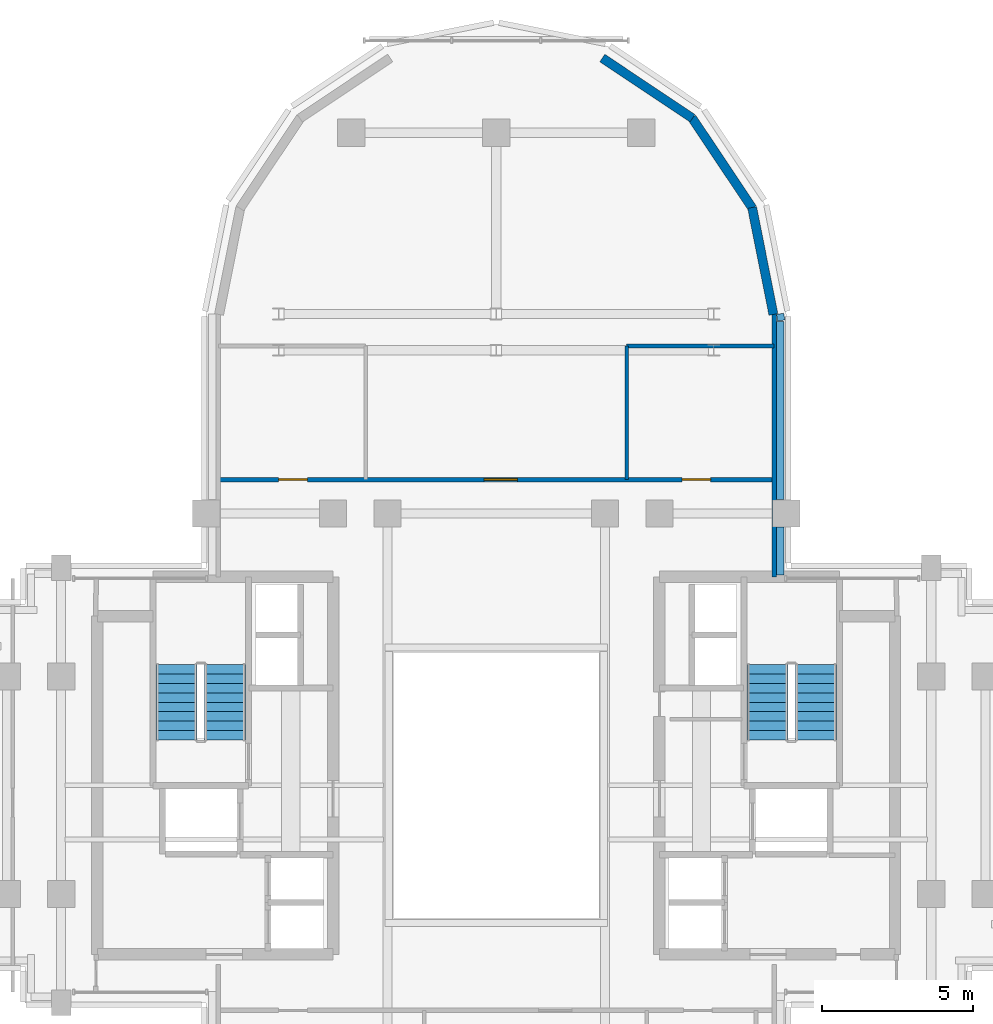
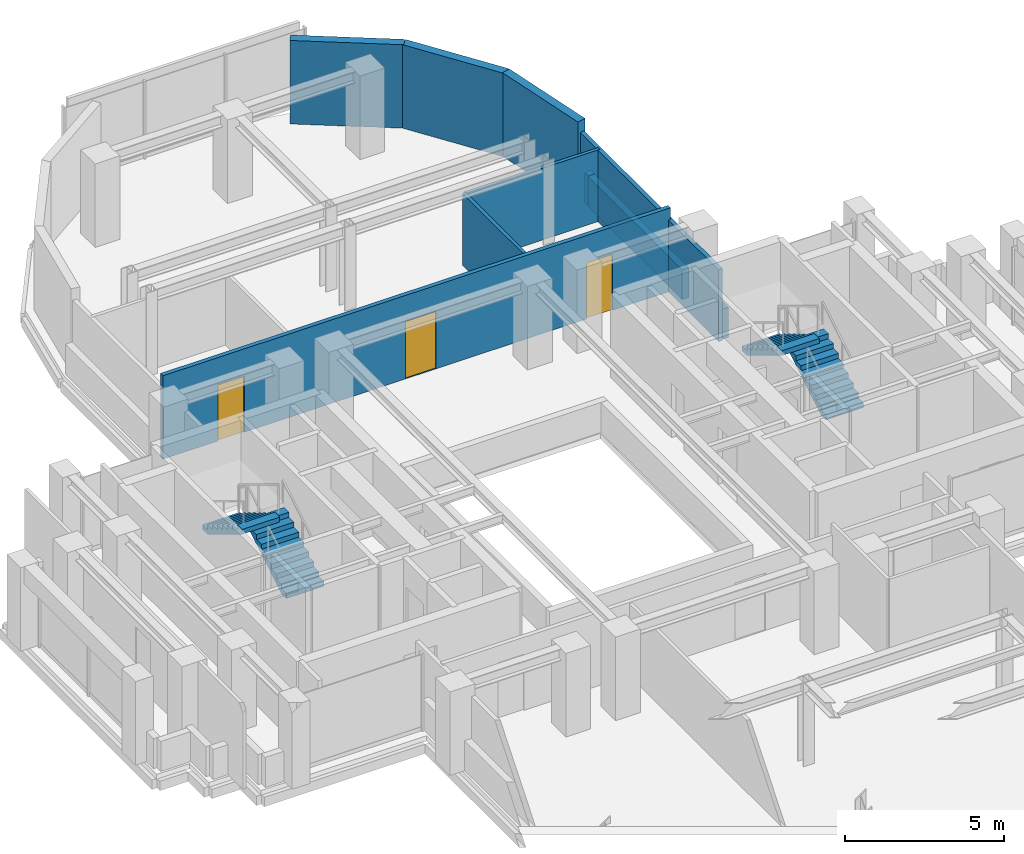
# One storey, part 8 of 11: 10 walls, 4 stair flights, 3 doors, 3 openings, 2 elements without a shape of their own.
"""IFC4 building model written with IfcOpenShell, lengths in metres."""

from ifc_helpers import new_model, si_unit, direction, frame, frame_2d, origin, place, context, subcontext, project, spatial, polyline, rectangle, outline, extrude, source, transform, mapped, material, layer, layer_set, type_object, element, fill, aggregate, save


model = new_model("IFC4")

# Units and contexts
model_context = context("Model", 3, precision=1e-05, world=origin(), true_north=direction((0.0, 1.0)))
body_context = subcontext(model_context, "Body", "Model", "MODEL_VIEW")
ifc_project = project(units=[si_unit("LENGTHUNIT", "METRE"), si_unit("AREAUNIT", "SQUARE_METRE"), si_unit("VOLUMEUNIT", "CUBIC_METRE"), si_unit("PLANEANGLEUNIT", "RADIAN"), si_unit("MASSUNIT", "GRAM", prefix="KILO")], contexts=[model_context])

# Site, building, storey
site_placement = place(None, origin())
site = spatial("IfcSite", under=ifc_project, at=site_placement, CompositionType="ELEMENT")
building_placement = place(site_placement, origin())
building = spatial("IfcBuilding", under=site, at=building_placement, Name="Keilestroom Media Tower", CompositionType="ELEMENT")
storey_placement = place(building_placement, frame((0.0, 0.0, 174.0)))
storey = spatial("IfcBuildingStorey", under=building, at=storey_placement, Name="L47", CompositionType="ELEMENT", Elevation=174.0)

# Walls
ifc_material_1 = material(Name="Precast concrete C40/50", Category="concrete")
ifc_layer_1 = layer(ifc_material_1, 0.300048828125)
ifc_layer_set_1 = layer_set([ifc_layer_1], Name="Precast concrete C40/50")
wall_type_1 = type_object("IfcWallType", Name="Exterior-Masonry-Spandrel-Wall-300", PredefinedType="SOLIDWALL", material=ifc_layer_set_1)
for number, where, z_axis, x_axis, name in (
    (1, (9.1748046875, 15.585205078125, 0.0), (0.0, 0.0, 1.0), (-0.195114232679, 0.980780523974, 0.0), "L47 Lobe Facet Precast Frame Wall 01"),
    (2, (8.48193359375, 19.097412109375, 0.0), (0.0, 0.0, 1.0), (-0.555574187116, 0.831466970246, 0.0), "L47 Lobe Facet Precast Frame Wall 02"),
):
    element("IfcWall", number, at=place(storey_placement, frame(where, z_axis=z_axis, x_axis=x_axis)), inside=storey, type_object=wall_type_1, Name=name, PredefinedType="SOLIDWALL", context=body_context, shape_type="SweptSolid", body=[
        extrude(rectangle(XDim=3.608642578125, YDim=0.300048828125, at=frame_2d((1.80419921875, 0.0))), origin(), (0.0, 0.0, 1.0), 3.199951171875),
    ])
wall_1_placement = place(storey_placement, frame((6.497802734375, 22.0771484375, 0.0), z_axis=(0.0, 0.0, 1.0), x_axis=(-0.8314749531, 0.555562239868, 0.0)))
element("IfcWall", 3, at=wall_1_placement, inside=storey, type_object=wall_type_1, Name="L47 Lobe Facet Precast Frame Wall 03", PredefinedType="SOLIDWALL", context=body_context, shape_type="SweptSolid", body=[
    extrude(rectangle(XDim=3.59326171875, YDim=0.300048828125, at=frame_2d((1.796630859375, 0.0))), origin(), (0.0, 0.0, 1.0), 3.199951171875),
])
ifc_material_2 = material(Name="Gypsum Plasterboard & Steel Stud", Category="steel")
ifc_layer_2 = layer(ifc_material_2, 0.1201171875)
ifc_layer_set_2 = layer_set([ifc_layer_2], Name="Gypsum Plasterboard & Steel Stud")
wall_type_2 = type_object("IfcWallType", Name="Interior-Partition-Wall-120", PredefinedType="PARTITIONING", material=ifc_layer_set_2)
wall_2_placement = place(storey_placement, frame((4.320068359375, 14.5400390625, 0.0), z_axis=(0.0, 0.0, 1.0), x_axis=(1.0, 0.0, 0.0)))
element("IfcWall", 4, at=wall_2_placement, inside=storey, type_object=wall_type_2, Name="L47 Interior Wall WP-L47-NL-HE", PredefinedType="PARTITIONING", context=body_context, shape_type="SweptSolid", body=[
    extrude(rectangle(XDim=4.8798828125, YDim=0.1201171875, at=frame_2d((2.43994140625, 0.0))), origin(), (0.0, 0.0, 1.0), 2.75),
])
wall_3_placement = place(storey_placement, frame((4.320068359375, 10.1201171875, 0.0), z_axis=(0.0, 0.0, 1.0), x_axis=(0.0, 1.0, 0.0)))
element("IfcWall", 5, at=wall_3_placement, inside=storey, type_object=wall_type_2, Name="L47 Interior Wall WP-L47-NL-VE2", PredefinedType="PARTITIONING", context=body_context, shape_type="SweptSolid", body=[
    extrude(rectangle(XDim=4.419921875, YDim=0.1201171875, at=frame_2d((2.2099609375, 0.0))), origin(), (0.0, 0.0, 1.0), 2.75),
])

# Wall, openings, doors
ifc_layer_3 = layer(ifc_material_2, 0.14990234375)
ifc_layer_set_3 = layer_set([ifc_layer_3], Name="Gypsum Plasterboard & Steel Stud")
wall_type_3 = type_object("IfcWallType", Name="Interior-Partition-Wall-150", PredefinedType="PARTITIONING", material=ifc_layer_set_3)
wall_4_placement = place(storey_placement, frame((-9.199951171875, 10.1201171875, 0.0), z_axis=(0.0, 0.0, 1.0), x_axis=(1.0, 0.0, 0.0)))
wall_4 = element("IfcWall", 6, at=wall_4_placement, inside=storey, type_object=wall_type_3, Name="L47 Interior Wall WP-L47-NL-BASE", PredefinedType="PARTITIONING", context=body_context, shape_type="SweptSolid", body=[
    extrude(rectangle(XDim=18.39990234375, YDim=0.14990234375, at=frame_2d((9.199951171875, 0.0))), origin(), (0.0, 0.0, 1.0), 3.199951171875),
])
opening_1_placement = place(wall_4_placement, frame((2.0, 0.0, 0.0)))
opening_1 = element("IfcOpeningElement", 7, at=opening_1_placement, cuts=wall_4, Name="Opening DI-03", PredefinedType="OPENING", context=body_context, shape_type="SweptSolid", body=[
    extrude(rectangle(XDim=0.949951171875, YDim=2.14990234375, at=frame_2d((0.47509765625, 1.074951171875))), frame((0.0, 0.0849609375, 0.0), z_axis=(0.0, -1.0, 0.0), x_axis=(1.0, 0.0, 0.0)), (0.0, 0.0, 1.0), 0.169921875),
])
opening_2_placement = place(wall_4_placement, frame((15.35009765625, 0.0, 0.0)))
opening_2 = element("IfcOpeningElement", 8, at=opening_2_placement, cuts=wall_4, Name="Opening DI-03", PredefinedType="OPENING", context=body_context, shape_type="SweptSolid", body=[
    extrude(rectangle(XDim=0.949951171875, YDim=2.14990234375, at=frame_2d((0.47509765625, 1.074951171875))), frame((0.0, 0.0849609375, 0.0), z_axis=(0.0, -1.0, 0.0), x_axis=(1.0, 0.0, 0.0)), (0.0, 0.0, 1.0), 0.169921875),
])
opening_3_placement = place(wall_4_placement, frame((8.800048828125, 0.0, 0.0)))
opening_3 = element("IfcOpeningElement", 9, at=opening_3_placement, cuts=wall_4, Name="Opening DI-04", PredefinedType="OPENING", context=body_context, shape_type="SweptSolid", body=[
    extrude(rectangle(XDim=1.10009765625, YDim=2.199951171875, at=frame_2d((0.550048828125, 1.10009765625))), frame((0.0, 0.0849609375, 0.0), z_axis=(0.0, -1.0, 0.0), x_axis=(1.0, 0.0, 0.0)), (0.0, 0.0, 1.0), 0.169921875),
])
ifc_material_3 = material(Name="Lacquered European Oak Leaf", Category="wood")
door_type_1 = type_object("IfcDoorType", Name="Interior-Room-And-Suite-Door-DI-03", OperationType="NOTDEFINED", PredefinedType="DOOR", material=ifc_material_3)
shared_shape_1 = source(origin(), body_context, "Body", "SweptSolid", [
    extrude(rectangle(XDim=0.949951171875, YDim=2.14990234375, at=frame_2d((0.47509765625, 1.074951171875))), frame((0.0, 0.02490234375, 0.0), z_axis=(0.0, -1.0, 0.0), x_axis=(1.0, 0.0, 0.0)), (0.0, 0.0, 1.0), 0.050048828125),
])
door_1_placement = place(opening_1_placement, origin())
door_1 = element("IfcDoor", 10, at=door_1_placement, inside=storey, type_object=door_type_1, Name="L47 Interior Door DI-L47-DNL-FRW", OperationType="SINGLE_SWING_RIGHT", OverallHeight=2.14990234375, OverallWidth=0.949951171875, PredefinedType="DOOR", context=body_context, shape_type="MappedRepresentation", body=[
    mapped(shared_shape_1, transform((0.0, 0.0, 0.0), x_axis=(1.0, 0.0, 0.0), y_axis=(0.0, 1.0, 0.0), z_axis=(0.0, 0.0, 1.0), scale=1.0)),
])
fill(opening_1, door_1)
door_2_placement = place(opening_2_placement, origin())
door_2 = element("IfcDoor", 11, at=door_2_placement, inside=storey, type_object=door_type_1, Name="L47 Interior Door DI-L47-DNL-FRE", OperationType="SINGLE_SWING_LEFT", OverallHeight=2.14990234375, OverallWidth=0.949951171875, PredefinedType="DOOR", context=body_context, shape_type="MappedRepresentation", body=[
    mapped(shared_shape_1, transform((0.0, 0.0, 0.0), x_axis=(1.0, 0.0, 0.0), y_axis=(0.0, 1.0, 0.0), z_axis=(0.0, 0.0, 1.0), scale=1.0)),
])
fill(opening_2, door_2)
ifc_material_4 = material(Name="Acoustic Glazed Aluminium Leaf", Category="aluminium")
door_type_2 = type_object("IfcDoorType", Name="Interior-Room-And-Suite-Door-DI-04", OperationType="NOTDEFINED", PredefinedType="DOOR", material=ifc_material_4)
shared_shape_2 = source(origin(), body_context, "Body", "SweptSolid", [
    extrude(rectangle(XDim=1.10009765625, YDim=2.199951171875, at=frame_2d((0.550048828125, 1.10009765625))), frame((0.0, 0.02490234375, 0.0), z_axis=(0.0, -1.0, 0.0), x_axis=(1.0, 0.0, 0.0)), (0.0, 0.0, 1.0), 0.050048828125),
])
door_3_placement = place(opening_3_placement, origin())
door_3 = element("IfcDoor", 12, at=door_3_placement, inside=storey, type_object=door_type_2, Name="L47 Interior Door DI-L47-DNL-REAR", OperationType="SINGLE_SWING_RIGHT", OverallHeight=2.199951171875, OverallWidth=1.10009765625, PredefinedType="DOOR", context=body_context, shape_type="MappedRepresentation", body=[
    mapped(shared_shape_2, transform((0.0, 0.0, 0.0), x_axis=(1.0, 0.0, 0.0), y_axis=(0.0, 1.0, 0.0), z_axis=(0.0, 0.0, 1.0), scale=1.0)),
])
fill(opening_3, door_3)

# Walls
wall_5_placement = place(storey_placement, frame((9.199951171875, 6.89990234375, 0.0), z_axis=(0.0, 0.0, 1.0), x_axis=(0.0, 1.0, 0.0)))
element("IfcWall", 13, at=wall_5_placement, inside=storey, type_object=wall_type_3, Name="L47 Interior Wall WP-L47-NL-CHKE", PredefinedType="PARTITIONING", context=body_context, shape_type="SweptSolid", body=[
    extrude(rectangle(XDim=8.780029296875, YDim=0.14990234375, at=frame_2d((4.39013671875, 0.0))), origin(), (0.0, 0.0, 1.0), 2.75),
])
ifc_layer_4 = layer(ifc_material_1, 0.239990234375)
ifc_layer_set_4 = layer_set([ifc_layer_4], Name="Precast concrete C40/50")
wall_type_4 = type_object("IfcWallType", Name="Roof-And-Terrace-Parapet-Wall-240", PredefinedType="PARAPET", material=ifc_layer_set_4)
wall_6_placement = place(storey_placement, frame((9.395263671875, 15.604248046875, 0.0), z_axis=(0.0, 0.0, 1.0), x_axis=(0.194652052864, -0.980872355771, 0.0)))
element("IfcWall", 14, at=wall_6_placement, inside=storey, type_object=wall_type_4, Name="L47 Perimeter Edge Parapet Wall 28", PredefinedType="PARAPET", context=body_context, shape_type="SweptSolid", body=[
    extrude(rectangle(XDim=0.224609375, YDim=0.239990234375, at=frame_2d((0.1123046875, 0.0))), origin(), (0.0, 0.0, 1.0), 1.14990234375),
])
wall_7_placement = place(storey_placement, frame((9.39990234375, 15.357666015625, 0.0), z_axis=(0.0, 0.0, 1.0), x_axis=(0.0, -1.0, 0.0)))
element("IfcWall", 15, at=wall_7_placement, inside=storey, type_object=wall_type_4, Name="L47 Perimeter Edge Parapet Wall 29", PredefinedType="PARAPET", context=body_context, shape_type="SweptSolid", body=[
    extrude(rectangle(XDim=5.90478515625, YDim=0.239990234375, at=frame_2d((2.952392578125, 0.0))), origin(), (0.0, 0.0, 1.0), 1.14990234375),
])
wall_8_placement = place(storey_placement, frame((9.39990234375, 8.547119140625, 0.0), z_axis=(0.0, 0.0, 1.0), x_axis=(0.0, -1.0, 0.0)))
element("IfcWall", 16, at=wall_8_placement, inside=storey, type_object=wall_type_4, Name="L47 Perimeter Edge Parapet Wall 30", PredefinedType="PARAPET", context=body_context, shape_type="SweptSolid", body=[
    extrude(rectangle(XDim=1.59423828125, YDim=0.239990234375, at=frame_2d((0.797119140625, 0.0))), origin(), (0.0, 0.0, 1.0), 1.14990234375),
])

# Stair, stair flights
ifc_material_5 = material(Name="Concrete C45/55", Category="concrete")
stair_type = type_object("IfcStairType", Name="Enclosed-Dog-Leg-Stair-ST-CORE", PredefinedType="HALF_TURN_STAIR", material=ifc_material_5)
stair_1_placement = place(storey_placement, origin())
stair_1 = element("IfcStair", 17, at=stair_1_placement, inside=storey, type_object=stair_type, Name="L47 West Core Escape Stair ST-1", PredefinedType="HALF_TURN_STAIR")
stair_flight_type = type_object("IfcStairFlightType", Name="Precast-Concrete-Stair-Flight-Core-160", PredefinedType="STRAIGHT", material=ifc_material_1)
stair_flight_1_placement = place(storey_placement, frame((-8.97998046875, 1.5, 0.0), z_axis=(0.0, 0.0, 1.0), x_axis=(0.0, 1.0, 0.0)))
stair_flight_1 = element("IfcStairFlight", 18, at=stair_flight_1_placement, type_object=stair_flight_type, Name="ST-1 flight 1", NumberOfRisers=9, NumberOfTreads=8, PredefinedType="STRAIGHT", RiserHeight=0.188888889, TreadLength=0.312, context=body_context, shape_type="SweptSolid", body=[
    extrude(outline(polyline([(0.0, 0.0), (0.0, 0.18896484375), (0.31201171875, 0.18896484375), (0.31201171875, 0.377685546875), (0.6240234375, 0.377685546875), (0.6240234375, 0.566650390625), (0.93603515625, 0.566650390625), (0.93603515625, 0.755615234375), (1.248046875, 0.755615234375), (1.248046875, 0.9443359375), (1.56005859375, 0.9443359375), (1.56005859375, 1.13330078125), (1.8720703125, 1.13330078125), (1.8720703125, 1.322265625), (2.18408203125, 1.322265625), (2.18408203125, 1.51123046875), (2.49609375, 1.51123046875), (2.49609375, 1.699951171875), (2.49609375, 1.32421875), (0.308837890625, 0.0), (0.0, 0.0)])), frame((0.0, 0.68017578125, 0.0), z_axis=(0.0, -1.0, 0.0), x_axis=(1.0, 0.0, 0.0)), (0.0, 0.0, 1.0), 1.360107421875),
])
stair_flight_2_placement = place(storey_placement, frame((-10.580078125, 3.99609375, 1.699951171875), z_axis=(0.0, 0.0, 1.0), x_axis=(0.0, -1.0, 0.0)))
stair_flight_2 = element("IfcStairFlight", 19, at=stair_flight_2_placement, type_object=stair_flight_type, Name="ST-1 flight 2", NumberOfRisers=9, NumberOfTreads=8, PredefinedType="STRAIGHT", RiserHeight=0.188888889, TreadLength=0.312, context=body_context, shape_type="SweptSolid", body=[
    extrude(outline(polyline([(0.0, 0.0), (0.0, 0.18896484375), (0.31201171875, 0.18896484375), (0.31201171875, 0.377685546875), (0.6240234375, 0.377685546875), (0.6240234375, 0.566650390625), (0.93603515625, 0.566650390625), (0.93603515625, 0.755615234375), (1.248046875, 0.755615234375), (1.248046875, 0.9443359375), (1.56005859375, 0.9443359375), (1.56005859375, 1.13330078125), (1.8720703125, 1.13330078125), (1.8720703125, 1.322265625), (2.18408203125, 1.322265625), (2.18408203125, 1.51123046875), (2.49609375, 1.51123046875), (2.49609375, 1.699951171875), (2.49609375, 1.32421875), (0.308837890625, 0.0), (0.0, 0.0)])), frame((0.0, 0.68017578125, 0.0), z_axis=(0.0, -1.0, 0.0), x_axis=(1.0, 0.0, 0.0)), (0.0, 0.0, 1.0), 1.360107421875),
])
aggregate(stair_1, [stair_flight_1, stair_flight_2])

stair_2_placement = place(storey_placement, origin())
stair_2 = element("IfcStair", 20, at=stair_2_placement, inside=storey, type_object=stair_type, Name="L47 East Core Escape Stair ST-2", PredefinedType="HALF_TURN_STAIR")
stair_flight_3_placement = place(storey_placement, frame((10.580078125, 1.5, 0.0), z_axis=(0.0, 0.0, 1.0), x_axis=(0.0, 1.0, 0.0)))
stair_flight_3 = element("IfcStairFlight", 21, at=stair_flight_3_placement, type_object=stair_flight_type, Name="ST-2 flight 1", NumberOfRisers=9, NumberOfTreads=8, PredefinedType="STRAIGHT", RiserHeight=0.188888889, TreadLength=0.312, context=body_context, shape_type="SweptSolid", body=[
    extrude(outline(polyline([(0.0, 0.0), (0.0, 0.18896484375), (0.31201171875, 0.18896484375), (0.31201171875, 0.377685546875), (0.6240234375, 0.377685546875), (0.6240234375, 0.566650390625), (0.93603515625, 0.566650390625), (0.93603515625, 0.755615234375), (1.248046875, 0.755615234375), (1.248046875, 0.9443359375), (1.56005859375, 0.9443359375), (1.56005859375, 1.13330078125), (1.8720703125, 1.13330078125), (1.8720703125, 1.322265625), (2.18408203125, 1.322265625), (2.18408203125, 1.51123046875), (2.49609375, 1.51123046875), (2.49609375, 1.699951171875), (2.49609375, 1.32421875), (0.308837890625, 0.0), (0.0, 0.0)])), frame((0.0, 0.68017578125, 0.0), z_axis=(0.0, -1.0, 0.0), x_axis=(1.0, 0.0, 0.0)), (0.0, 0.0, 1.0), 1.360107421875),
])
stair_flight_4_placement = place(storey_placement, frame((8.97998046875, 3.99609375, 1.699951171875), z_axis=(0.0, 0.0, 1.0), x_axis=(0.0, -1.0, 0.0)))
stair_flight_4 = element("IfcStairFlight", 22, at=stair_flight_4_placement, type_object=stair_flight_type, Name="ST-2 flight 2", NumberOfRisers=9, NumberOfTreads=8, PredefinedType="STRAIGHT", RiserHeight=0.188888889, TreadLength=0.312, context=body_context, shape_type="SweptSolid", body=[
    extrude(outline(polyline([(0.0, 0.0), (0.0, 0.18896484375), (0.31201171875, 0.18896484375), (0.31201171875, 0.377685546875), (0.6240234375, 0.377685546875), (0.6240234375, 0.566650390625), (0.93603515625, 0.566650390625), (0.93603515625, 0.755615234375), (1.248046875, 0.755615234375), (1.248046875, 0.9443359375), (1.56005859375, 0.9443359375), (1.56005859375, 1.13330078125), (1.8720703125, 1.13330078125), (1.8720703125, 1.322265625), (2.18408203125, 1.322265625), (2.18408203125, 1.51123046875), (2.49609375, 1.51123046875), (2.49609375, 1.699951171875), (2.49609375, 1.32421875), (0.308837890625, 0.0), (0.0, 0.0)])), frame((0.0, 0.68017578125, 0.0), z_axis=(0.0, -1.0, 0.0), x_axis=(1.0, 0.0, 0.0)), (0.0, 0.0, 1.0), 1.360107421875),
])
aggregate(stair_2, [stair_flight_3, stair_flight_4])

save(model, "model.ifc")
